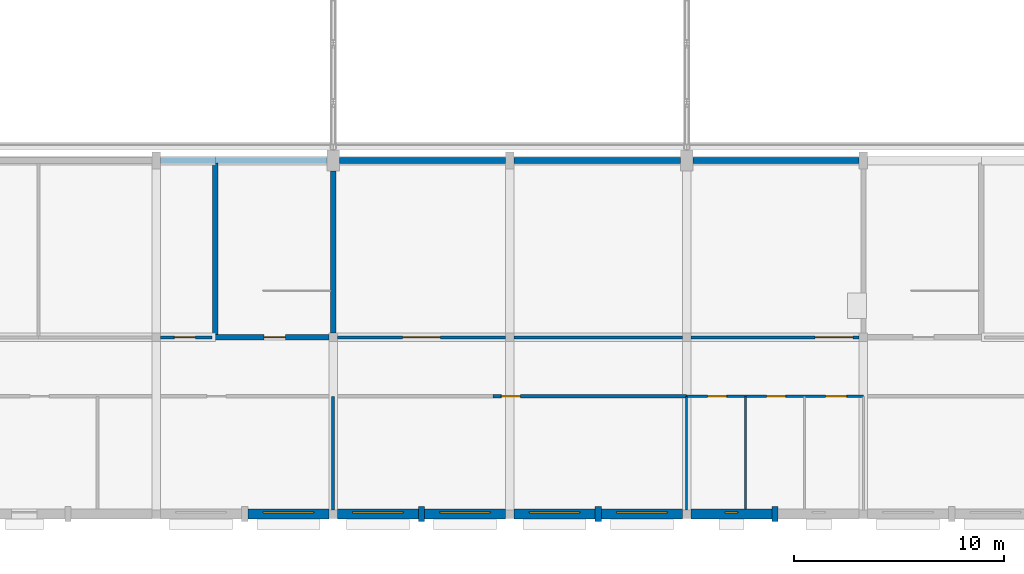
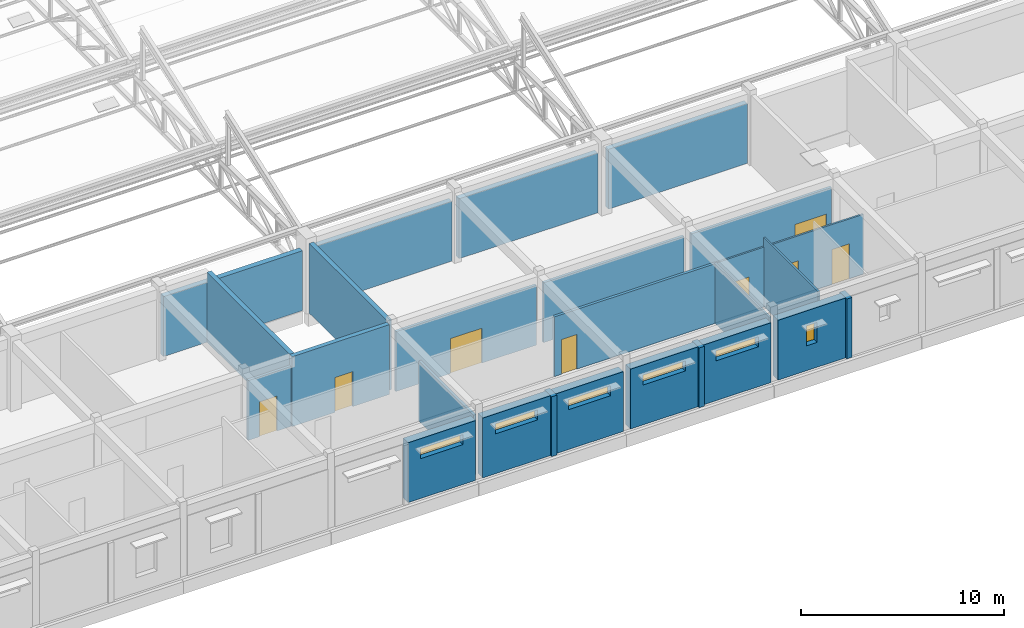
# One storey, part 71 of 101: 25 walls, 8 doors, 6 windows, 14 openings.
"""IFC4 building model written with IfcOpenShell, lengths in metres."""

from ifc_helpers import new_model, si_unit, direction, frame, frame_2d, origin, place, context, subcontext, project, spatial, rectangle, extrude, material, layer, layer_set, type_object, element, fill, save


model = new_model("IFC4")

# Units and contexts
model_context = context("Model", 3, precision=1e-05, world=origin(), true_north=direction((0.0, 1.0)))
body_context = subcontext(model_context, "Body", "Model", "MODEL_VIEW")
ifc_project = project(units=[si_unit("LENGTHUNIT", "METRE"), si_unit("AREAUNIT", "SQUARE_METRE"), si_unit("VOLUMEUNIT", "CUBIC_METRE"), si_unit("PLANEANGLEUNIT", "RADIAN"), si_unit("MASSUNIT", "GRAM", prefix="KILO")], contexts=[model_context])

# Site, building, storey
site_placement = place(None, origin())
site = spatial("IfcSite", under=ifc_project, at=site_placement, CompositionType="ELEMENT")
building_placement = place(site_placement, origin())
building = spatial("IfcBuilding", under=site, at=building_placement, Name="Fescue Hill Polytechnic", CompositionType="ELEMENT")
storey_placement = place(building_placement, frame((0.0, 0.0, 9.0)))
storey = spatial("IfcBuildingStorey", under=building, at=storey_placement, Name="L02", CompositionType="ELEMENT", Elevation=9.0)

# Wall, opening, door
ifc_material_1 = material(Name="Concrete 40 MPa", Category="concrete")
ifc_layer_1 = layer(ifc_material_1, 0.25)
ifc_layer_set_1 = layer_set([ifc_layer_1], Name="Concrete 40 MPa")
wall_type_1 = type_object("IfcWallType", Name="Core wall 250", PredefinedType="SHEAR", material=ifc_layer_set_1)
wall_1_placement = place(storey_placement, frame((27.875, 8.39990234375, 0.0), z_axis=(0.0, 0.0, 1.0), x_axis=(1.0, 0.0, 0.0)))
wall_1 = element("IfcWall", 1, at=wall_1_placement, inside=storey, type_object=wall_type_1, Name="CW-L02-ST-V1-2-11", PredefinedType="SHEAR", context=body_context, shape_type="SweptSolid", body=[
    extrude(rectangle(XDim=5.52490234375, YDim=0.25, at=frame_2d((2.762451171875, 0.0))), origin(), (0.0, 0.0, 1.0), 4.199951171875),
])
opening_1_placement = place(wall_1_placement, frame((2.449951171875, 0.0, 0.0)))
opening_1 = element("IfcOpeningElement", 2, at=opening_1_placement, cuts=wall_1, Name="Opening D2077", PredefinedType="OPENING", context=body_context, shape_type="SweptSolid", body=[
    extrude(rectangle(XDim=1.0, YDim=2.10009765625, at=frame_2d((0.5, 1.050048828125))), frame((0.0, 0.135009765625, 0.0), z_axis=(0.0, -1.0, 0.0), x_axis=(1.0, 0.0, 0.0)), (0.0, 0.0, 1.0), 0.27001953125),
])
ifc_material_2 = material(Name="Steel fire door", Category="steel")
door_type_1 = type_object("IfcDoorType", Name="Door single swing 1000x2100 stair fire rated", OperationType="NOTDEFINED", PredefinedType="DOOR", material=ifc_material_2)
door_1_placement = place(opening_1_placement, origin())
door_1 = element("IfcDoor", 3, at=door_1_placement, inside=storey, type_object=door_type_1, Name="L02 ST-V1-2 stair door", OperationType="SINGLE_SWING_LEFT", OverallHeight=2.10009765625, OverallWidth=1.0, PredefinedType="DOOR", context=body_context, shape_type="SweptSolid", body=[
    extrude(rectangle(XDim=1.0, YDim=2.10009765625, at=frame_2d((0.5, 1.050048828125))), frame((0.0, 0.02490234375, 0.0), z_axis=(0.0, -1.0, 0.0), x_axis=(1.0, 0.0, 0.0)), (0.0, 0.0, 1.0), 0.050048828125),
])
fill(opening_1, door_1)

# Walls
wall_2_placement = place(storey_placement, frame((28.0, 8.52490234375, 0.0), z_axis=(0.0, 0.0, 1.0), x_axis=(0.0, 1.0, 0.0)))
element("IfcWall", 4, at=wall_2_placement, inside=storey, type_object=wall_type_1, Name="CW-L02-ST-V1-2-31", PredefinedType="SHEAR", context=body_context, shape_type="SweptSolid", body=[
    extrude(rectangle(XDim=8.150146484375, YDim=0.25, at=frame_2d((4.0751953125, 0.0))), origin(), (0.0, 0.0, 1.0), 4.199951171875),
])
wall_3_placement = place(storey_placement, frame((33.60009765625, 8.60009765625, 0.0), z_axis=(0.0, 0.0, 1.0), x_axis=(0.0, 1.0, 0.0)))
element("IfcWall", 5, at=wall_3_placement, inside=storey, type_object=wall_type_1, Name="CW-L02-ST-V1-2-41", PredefinedType="SHEAR", context=body_context, shape_type="SweptSolid", body=[
    extrude(rectangle(XDim=7.699951171875, YDim=0.25, at=frame_2d((3.85009765625, 0.0))), origin(), (0.0, 0.0, 1.0), 4.199951171875),
])

# Wall, opening, door
ifc_material_3 = material(Name="Gypsum board partition")
ifc_layer_2 = layer(ifc_material_3, 0.14990234375)
ifc_layer_set_2 = layer_set([ifc_layer_2], Name="Gypsum board partition")
wall_type_2 = type_object("IfcWallType", Name="Corridor wall 150 EI 45", PredefinedType="PARTITIONING", material=ifc_layer_set_2)
wall_4_placement = place(storey_placement, frame((41.199951171875, 5.60009765625, 0.0), z_axis=(0.0, 0.0, 1.0), x_axis=(1.0, 0.0, 0.0)))
wall_4 = element("IfcWall", 6, at=wall_4_placement, inside=storey, type_object=wall_type_2, Name="IW-L02-002", PredefinedType="PARTITIONING", context=body_context, shape_type="SweptSolid", body=[
    extrude(rectangle(XDim=9.199951171875, YDim=0.14990234375, at=frame_2d((4.60009765625, 0.0))), origin(), (0.0, 0.0, 1.0), 3.60009765625),
])
opening_2_placement = place(wall_4_placement, frame((0.39990234375, 0.0, 0.0)))
opening_2 = element("IfcOpeningElement", 7, at=opening_2_placement, cuts=wall_4, Name="Opening D2012", PredefinedType="OPENING", context=body_context, shape_type="SweptSolid", body=[
    extrude(rectangle(XDim=0.89990234375, YDim=2.10009765625, at=frame_2d((0.449951171875, 1.050048828125))), frame((0.0, 0.0849609375, 0.0), z_axis=(0.0, -1.0, 0.0), x_axis=(1.0, 0.0, 0.0)), (0.0, 0.0, 1.0), 0.169921875),
])
ifc_material_4 = material(Name="Timber", Category="wood")
door_type_2 = type_object("IfcDoorType", Name="Door single swing 900x2100 FD30S", OperationType="SINGLE_SWING_LEFT", PredefinedType="DOOR", material=ifc_material_4)
door_2_placement = place(opening_2_placement, origin())
door_2 = element("IfcDoor", 8, at=door_2_placement, inside=storey, type_object=door_type_2, Name="Door D2012", OperationType="SINGLE_SWING_LEFT", OverallHeight=2.10009765625, OverallWidth=0.89990234375, PredefinedType="DOOR", context=body_context, shape_type="SweptSolid", body=[
    extrude(rectangle(XDim=0.89990234375, YDim=2.10009765625, at=frame_2d((0.449951171875, 1.050048828125))), frame((0.0, 0.02490234375, 0.0), z_axis=(0.0, -1.0, 0.0), x_axis=(1.0, 0.0, 0.0)), (0.0, 0.0, 1.0), 0.050048828125),
])
fill(opening_2, door_2)

wall_5_placement = place(storey_placement, frame((33.800048828125, 8.39990234375, 0.0), z_axis=(0.0, 0.0, 1.0), x_axis=(1.0, 0.0, 0.0)))
wall_5 = element("IfcWall", 9, at=wall_5_placement, inside=storey, type_object=wall_type_2, Name="IW-L02-011", PredefinedType="PARTITIONING", context=body_context, shape_type="SweptSolid", body=[
    extrude(rectangle(XDim=8.0, YDim=0.14990234375, at=frame_2d((4.0, 0.0))), origin(), (0.0, 0.0, 1.0), 3.60009765625),
])
opening_3_placement = place(wall_5_placement, frame((3.10009765625, 0.0, 0.0)))
opening_3 = element("IfcOpeningElement", 10, at=opening_3_placement, cuts=wall_5, Name="Opening D2023", PredefinedType="OPENING", context=body_context, shape_type="SweptSolid", body=[
    extrude(rectangle(XDim=1.800048828125, YDim=2.10009765625, at=frame_2d((0.89990234375, 1.050048828125))), frame((0.0, 0.0849609375, 0.0), z_axis=(0.0, -1.0, 0.0), x_axis=(1.0, 0.0, 0.0)), (0.0, 0.0, 1.0), 0.169921875),
])
door_type_3 = type_object("IfcDoorType", Name="Door double swing 1800x2100 FD30S", OperationType="DOUBLE_DOOR_SINGLE_SWING", PredefinedType="DOOR", material=ifc_material_4)
door_3_placement = place(opening_3_placement, origin())
door_3 = element("IfcDoor", 11, at=door_3_placement, inside=storey, type_object=door_type_3, Name="Door D2023", OperationType="DOUBLE_DOOR_SINGLE_SWING", OverallHeight=2.10009765625, OverallWidth=1.800048828125, PredefinedType="DOOR", context=body_context, shape_type="SweptSolid", body=[
    extrude(rectangle(XDim=1.800048828125, YDim=2.10009765625, at=frame_2d((0.89990234375, 1.050048828125))), frame((0.0, 0.02490234375, 0.0), z_axis=(0.0, -1.0, 0.0), x_axis=(1.0, 0.0, 0.0)), (0.0, 0.0, 1.0), 0.050048828125),
])
fill(opening_3, door_3)

# Wall
wall_6_placement = place(storey_placement, frame((42.199951171875, 8.39990234375, 0.0), z_axis=(0.0, 0.0, 1.0), x_axis=(1.0, 0.0, 0.0)))
element("IfcWall", 12, at=wall_6_placement, inside=storey, type_object=wall_type_2, Name="IW-L02-012", PredefinedType="PARTITIONING", context=body_context, shape_type="SweptSolid", body=[
    extrude(rectangle(XDim=8.0, YDim=0.14990234375, at=frame_2d((4.0, 0.0))), origin(), (0.0, 0.0, 1.0), 3.60009765625),
])

# Wall, opening, door
wall_7_placement = place(storey_placement, frame((50.60009765625, 8.39990234375, 0.0), z_axis=(0.0, 0.0, 1.0), x_axis=(1.0, 0.0, 0.0)))
wall_7 = element("IfcWall", 13, at=wall_7_placement, inside=storey, type_object=wall_type_2, Name="IW-L02-013", PredefinedType="PARTITIONING", context=body_context, shape_type="SweptSolid", body=[
    extrude(rectangle(XDim=8.0, YDim=0.14990234375, at=frame_2d((4.0, 0.0))), origin(), (0.0, 0.0, 1.0), 3.60009765625),
])
opening_4_placement = place(wall_7_placement, frame((5.89990234375, 0.0, 0.0)))
opening_4 = element("IfcOpeningElement", 14, at=opening_4_placement, cuts=wall_7, Name="Opening D2024", PredefinedType="OPENING", context=body_context, shape_type="SweptSolid", body=[
    extrude(rectangle(XDim=1.800048828125, YDim=2.10009765625, at=frame_2d((0.89990234375, 1.050048828125))), frame((0.0, 0.0849609375, 0.0), z_axis=(0.0, -1.0, 0.0), x_axis=(1.0, 0.0, 0.0)), (0.0, 0.0, 1.0), 0.169921875),
])
door_4_placement = place(opening_4_placement, origin())
door_4 = element("IfcDoor", 15, at=door_4_placement, inside=storey, type_object=door_type_3, Name="Door D2024", OperationType="DOUBLE_DOOR_SINGLE_SWING", OverallHeight=2.10009765625, OverallWidth=1.800048828125, PredefinedType="DOOR", context=body_context, shape_type="SweptSolid", body=[
    extrude(rectangle(XDim=1.800048828125, YDim=2.10009765625, at=frame_2d((0.89990234375, 1.050048828125))), frame((0.0, 0.02490234375, 0.0), z_axis=(0.0, -1.0, 0.0), x_axis=(1.0, 0.0, 0.0)), (0.0, 0.0, 1.0), 0.050048828125),
])
fill(opening_4, door_4)

# Wall, opening, window
ifc_material_5 = material(Name="Clay brick masonry", Category="masonry")
ifc_layer_3 = layer(ifc_material_5, 0.47998046875)
ifc_layer_set_3 = layer_set([ifc_layer_3], Name="Clay brick masonry")
wall_type_3 = type_object("IfcWallType", Name="Exterior wall engineering brick cavity 480", PredefinedType="SOLIDWALL", material=ifc_layer_set_3)
wall_8_placement = place(storey_placement, frame((29.550048828125, 0.0, 0.0), z_axis=(0.0, 0.0, 1.0), x_axis=(1.0, 0.0, 0.0)))
wall_8 = element("IfcWall", 16, at=wall_8_placement, inside=storey, type_object=wall_type_3, Name="EW-L02-V1-30", PredefinedType="SOLIDWALL", context=body_context, shape_type="SweptSolid", body=[
    extrude(rectangle(XDim=3.849853515625, YDim=0.47998046875, at=frame_2d((1.9248046875, 0.0))), origin(), (0.0, 0.0, 1.0), 3.60009765625),
])
opening_5_placement = place(wall_8_placement, frame((0.72509765625, 0.0, 2.39990234375)))
opening_5 = element("IfcOpeningElement", 17, at=opening_5_placement, cuts=wall_8, Name="Opening W2R", PredefinedType="OPENING", context=body_context, shape_type="SweptSolid", body=[
    extrude(rectangle(XDim=2.39990234375, YDim=0.60009765625, at=frame_2d((1.199951171875, 0.300048828125))), frame((0.0, 0.25, 0.0), z_axis=(0.0, -1.0, 0.0), x_axis=(1.0, 0.0, 0.0)), (0.0, 0.0, 1.0), 0.5),
])
ifc_material_6 = material(Name="Powder-coated aluminium and glass", Category="aluminium")
window_type_1 = type_object("IfcWindowType", Name="Window workshop high 2400x600", PartitioningType="TRIPLE_PANEL_VERTICAL", PredefinedType="WINDOW", material=ifc_material_6)
window_1_placement = place(opening_5_placement, origin())
window_1 = element("IfcWindow", 18, at=window_1_placement, inside=storey, type_object=window_type_1, Name="WN-L02-V1-8", OverallHeight=0.60009765625, OverallWidth=2.39990234375, PartitioningType="SINGLE_PANEL", PredefinedType="WINDOW", context=body_context, shape_type="SweptSolid", body=[
    extrude(rectangle(XDim=2.39990234375, YDim=0.60009765625, at=frame_2d((1.199951171875, 0.300048828125))), frame((0.0, 0.1201171875, 0.0), z_axis=(0.0, -1.0, 0.0), x_axis=(1.0, 0.0, 0.0)), (0.0, 0.0, 1.0), 0.06005859375),
])
fill(opening_5, window_1)

wall_9_placement = place(storey_placement, frame((33.800048828125, 0.0, 0.0), z_axis=(0.0, 0.0, 1.0), x_axis=(1.0, 0.0, 0.0)))
wall_9 = element("IfcWall", 19, at=wall_9_placement, inside=storey, type_object=wall_type_3, Name="EW-L02-V1-31", PredefinedType="SOLIDWALL", context=body_context, shape_type="SweptSolid", body=[
    extrude(rectangle(XDim=3.849853515625, YDim=0.47998046875, at=frame_2d((1.9248046875, 0.0))), origin(), (0.0, 0.0, 1.0), 3.60009765625),
])
opening_6_placement = place(wall_9_placement, frame((0.72509765625, 0.0, 2.39990234375)))
opening_6 = element("IfcOpeningElement", 20, at=opening_6_placement, cuts=wall_9, Name="Opening W2R", PredefinedType="OPENING", context=body_context, shape_type="SweptSolid", body=[
    extrude(rectangle(XDim=2.39990234375, YDim=0.60009765625, at=frame_2d((1.199951171875, 0.300048828125))), frame((0.0, 0.25, 0.0), z_axis=(0.0, -1.0, 0.0), x_axis=(1.0, 0.0, 0.0)), (0.0, 0.0, 1.0), 0.5),
])
window_2_placement = place(opening_6_placement, origin())
window_2 = element("IfcWindow", 21, at=window_2_placement, inside=storey, type_object=window_type_1, Name="WN-L02-V1-9", OverallHeight=0.60009765625, OverallWidth=2.39990234375, PartitioningType="SINGLE_PANEL", PredefinedType="WINDOW", context=body_context, shape_type="SweptSolid", body=[
    extrude(rectangle(XDim=2.39990234375, YDim=0.60009765625, at=frame_2d((1.199951171875, 0.300048828125))), frame((0.0, 0.1201171875, 0.0), z_axis=(0.0, -1.0, 0.0), x_axis=(1.0, 0.0, 0.0)), (0.0, 0.0, 1.0), 0.06005859375),
])
fill(opening_6, window_2)

wall_10_placement = place(storey_placement, frame((37.949951171875, 0.0, 0.0), z_axis=(0.0, 0.0, 1.0), x_axis=(1.0, 0.0, 0.0)))
wall_10 = element("IfcWall", 22, at=wall_10_placement, inside=storey, type_object=wall_type_3, Name="EW-L02-V1-32", PredefinedType="SOLIDWALL", context=body_context, shape_type="SweptSolid", body=[
    extrude(rectangle(XDim=3.85009765625, YDim=0.47998046875, at=frame_2d((1.925048828125, 0.0))), origin(), (0.0, 0.0, 1.0), 3.60009765625),
])
opening_7_placement = place(wall_10_placement, frame((0.72509765625, 0.0, 2.39990234375)))
opening_7 = element("IfcOpeningElement", 23, at=opening_7_placement, cuts=wall_10, Name="Opening W2R", PredefinedType="OPENING", context=body_context, shape_type="SweptSolid", body=[
    extrude(rectangle(XDim=2.39990234375, YDim=0.60009765625, at=frame_2d((1.199951171875, 0.300048828125))), frame((0.0, 0.25, 0.0), z_axis=(0.0, -1.0, 0.0), x_axis=(1.0, 0.0, 0.0)), (0.0, 0.0, 1.0), 0.5),
])
window_3_placement = place(opening_7_placement, origin())
window_3 = element("IfcWindow", 24, at=window_3_placement, inside=storey, type_object=window_type_1, Name="WN-L02-V1-10", OverallHeight=0.60009765625, OverallWidth=2.39990234375, PartitioningType="SINGLE_PANEL", PredefinedType="WINDOW", context=body_context, shape_type="SweptSolid", body=[
    extrude(rectangle(XDim=2.39990234375, YDim=0.60009765625, at=frame_2d((1.199951171875, 0.300048828125))), frame((0.0, 0.1201171875, 0.0), z_axis=(0.0, -1.0, 0.0), x_axis=(1.0, 0.0, 0.0)), (0.0, 0.0, 1.0), 0.06005859375),
])
fill(opening_7, window_3)

wall_11_placement = place(storey_placement, frame((42.199951171875, 0.0, 0.0), z_axis=(0.0, 0.0, 1.0), x_axis=(1.0, 0.0, 0.0)))
wall_11 = element("IfcWall", 25, at=wall_11_placement, inside=storey, type_object=wall_type_3, Name="EW-L02-V1-33", PredefinedType="SOLIDWALL", context=body_context, shape_type="SweptSolid", body=[
    extrude(rectangle(XDim=3.85009765625, YDim=0.47998046875, at=frame_2d((1.925048828125, 0.0))), origin(), (0.0, 0.0, 1.0), 3.60009765625),
])
opening_8_placement = place(wall_11_placement, frame((0.72509765625, 0.0, 2.39990234375)))
opening_8 = element("IfcOpeningElement", 26, at=opening_8_placement, cuts=wall_11, Name="Opening W2R", PredefinedType="OPENING", context=body_context, shape_type="SweptSolid", body=[
    extrude(rectangle(XDim=2.39990234375, YDim=0.60009765625, at=frame_2d((1.199951171875, 0.300048828125))), frame((0.0, 0.25, 0.0), z_axis=(0.0, -1.0, 0.0), x_axis=(1.0, 0.0, 0.0)), (0.0, 0.0, 1.0), 0.5),
])
window_4_placement = place(opening_8_placement, origin())
window_4 = element("IfcWindow", 27, at=window_4_placement, inside=storey, type_object=window_type_1, Name="WN-L02-V1-11", OverallHeight=0.60009765625, OverallWidth=2.39990234375, PartitioningType="SINGLE_PANEL", PredefinedType="WINDOW", context=body_context, shape_type="SweptSolid", body=[
    extrude(rectangle(XDim=2.39990234375, YDim=0.60009765625, at=frame_2d((1.199951171875, 0.300048828125))), frame((0.0, 0.1201171875, 0.0), z_axis=(0.0, -1.0, 0.0), x_axis=(1.0, 0.0, 0.0)), (0.0, 0.0, 1.0), 0.06005859375),
])
fill(opening_8, window_4)

wall_12_placement = place(storey_placement, frame((46.35009765625, 0.0, 0.0), z_axis=(0.0, 0.0, 1.0), x_axis=(1.0, 0.0, 0.0)))
wall_12 = element("IfcWall", 28, at=wall_12_placement, inside=storey, type_object=wall_type_3, Name="EW-L02-V1-34", PredefinedType="SOLIDWALL", context=body_context, shape_type="SweptSolid", body=[
    extrude(rectangle(XDim=3.849853515625, YDim=0.47998046875, at=frame_2d((1.9248046875, 0.0))), origin(), (0.0, 0.0, 1.0), 3.60009765625),
])
opening_9_placement = place(wall_12_placement, frame((0.72509765625, 0.0, 2.39990234375)))
opening_9 = element("IfcOpeningElement", 29, at=opening_9_placement, cuts=wall_12, Name="Opening W2R", PredefinedType="OPENING", context=body_context, shape_type="SweptSolid", body=[
    extrude(rectangle(XDim=2.39990234375, YDim=0.60009765625, at=frame_2d((1.199951171875, 0.300048828125))), frame((0.0, 0.25, 0.0), z_axis=(0.0, -1.0, 0.0), x_axis=(1.0, 0.0, 0.0)), (0.0, 0.0, 1.0), 0.5),
])
window_5_placement = place(opening_9_placement, origin())
window_5 = element("IfcWindow", 30, at=window_5_placement, inside=storey, type_object=window_type_1, Name="WN-L02-V1-12", OverallHeight=0.60009765625, OverallWidth=2.39990234375, PartitioningType="SINGLE_PANEL", PredefinedType="WINDOW", context=body_context, shape_type="SweptSolid", body=[
    extrude(rectangle(XDim=2.39990234375, YDim=0.60009765625, at=frame_2d((1.199951171875, 0.300048828125))), frame((0.0, 0.1201171875, 0.0), z_axis=(0.0, -1.0, 0.0), x_axis=(1.0, 0.0, 0.0)), (0.0, 0.0, 1.0), 0.06005859375),
])
fill(opening_9, window_5)

wall_13_placement = place(storey_placement, frame((50.60009765625, 0.0, 0.0), z_axis=(0.0, 0.0, 1.0), x_axis=(1.0, 0.0, 0.0)))
wall_13 = element("IfcWall", 31, at=wall_13_placement, inside=storey, type_object=wall_type_3, Name="EW-L02-V1-35", PredefinedType="SOLIDWALL", context=body_context, shape_type="SweptSolid", body=[
    extrude(rectangle(XDim=3.849853515625, YDim=0.47998046875, at=frame_2d((1.9248046875, 0.0))), origin(), (0.0, 0.0, 1.0), 3.60009765625),
])
opening_10_placement = place(wall_13_placement, frame((1.625, 0.0, 1.5)))
opening_10 = element("IfcOpeningElement", 32, at=opening_10_placement, cuts=wall_13, Name="Opening W11", PredefinedType="OPENING", context=body_context, shape_type="SweptSolid", body=[
    extrude(rectangle(XDim=0.60009765625, YDim=1.199951171875, at=frame_2d((0.300048828125, 0.60009765625))), frame((0.0, 0.25, 0.0), z_axis=(0.0, -1.0, 0.0), x_axis=(1.0, 0.0, 0.0)), (0.0, 0.0, 1.0), 0.5),
])
window_type_2 = type_object("IfcWindowType", Name="Window WC high-level 600x1200", PartitioningType="SINGLE_PANEL", PredefinedType="WINDOW", material=ifc_material_6)
window_6_placement = place(opening_10_placement, origin())
window_6 = element("IfcWindow", 33, at=window_6_placement, inside=storey, type_object=window_type_2, Name="WN-L02-V1-13", OverallHeight=1.199951171875, OverallWidth=0.60009765625, PartitioningType="SINGLE_PANEL", PredefinedType="WINDOW", context=body_context, shape_type="SweptSolid", body=[
    extrude(rectangle(XDim=0.60009765625, YDim=1.199951171875, at=frame_2d((0.300048828125, 0.60009765625))), frame((0.0, 0.1201171875, 0.0), z_axis=(0.0, -1.0, 0.0), x_axis=(1.0, 0.0, 0.0)), (0.0, 0.0, 1.0), 0.06005859375),
])
fill(opening_10, window_6)

# Walls
ifc_layer_4 = layer(ifc_material_1, 0.699951171875)
ifc_layer_set_4 = layer_set([ifc_layer_4], Name="Concrete 40 MPa")
wall_type_4 = type_object("IfcWallType", Name="Fin wall board-marked 300x700", PredefinedType="SOLIDWALL", material=ifc_layer_set_4)
for number, where, z_axis, x_axis, name in (
    (34, (37.64990234375, 0.0, 0.0), (0.0, 0.0, 1.0), (1.0, 0.0, 0.0), "PR-L02-V1-9"),
    (35, (46.050048828125, 0.0, 0.0), (0.0, 0.0, 1.0), (1.0, 0.0, 0.0), "PR-L02-V1-10"),
    (36, (54.449951171875, 0.0, 0.0), (0.0, 0.0, 1.0), (1.0, 0.0, 0.0), "PR-L02-V1-11"),
):
    element("IfcWall", number, at=place(storey_placement, frame(where, z_axis=z_axis, x_axis=x_axis)), inside=storey, type_object=wall_type_4, Name=name, PredefinedType="SOLIDWALL", context=body_context, shape_type="SweptSolid", body=[
        extrude(rectangle(XDim=0.300048828125, YDim=0.699951171875, at=frame_2d((0.14990234375, 0.0))), origin(), (0.0, 0.0, 1.0), 3.60009765625),
    ])
ifc_layer_5 = layer(ifc_material_1, 0.300048828125)
ifc_layer_set_5 = layer_set([ifc_layer_5], Name="Concrete 40 MPa")
wall_type_5 = type_object("IfcWallType", Name="Hall wall concrete 300 fire rated", PredefinedType="SOLIDWALL", material=ifc_layer_set_5)
for number, where, z_axis, x_axis, name in (
    (37, (58.60009765625, 16.800048828125, 0.0), (0.0, 0.0, 1.0), (-1.0, 0.0, 0.0), "EW-L02-V1-12"),
    (38, (50.10009765625, 16.800048828125, 0.0), (0.0, 0.0, 1.0), (-1.0, 0.0, 0.0), "EW-L02-V1-13"),
    (39, (41.800048828125, 16.800048828125, 0.0), (0.0, 0.0, 1.0), (-1.0, 0.0, 0.0), "EW-L02-V1-14"),
):
    element("IfcWall", number, at=place(storey_placement, frame(where, z_axis=z_axis, x_axis=x_axis)), inside=storey, type_object=wall_type_5, Name=name, PredefinedType="SOLIDWALL", context=body_context, shape_type="SweptSolid", body=[
        extrude(rectangle(XDim=7.900146484375, YDim=0.300048828125, at=frame_2d((3.9501953125, 0.0))), origin(), (0.0, 0.0, 1.0), 3.60009765625),
    ])
ifc_layer_6 = layer(ifc_material_1, 0.300048828125)
ifc_layer_set_6 = layer_set([ifc_layer_6], Name="Concrete 40 MPa")
wall_type_6 = type_object("IfcWallType", Name="Hall wall concrete 300 load-bearing REI 120", PredefinedType="SOLIDWALL", material=ifc_layer_set_6)
wall_14_placement = place(storey_placement, frame((33.300048828125, 16.800048828125, 0.0), z_axis=(0.0, 0.0, 1.0), x_axis=(-1.0, 0.0, 0.0)))
element("IfcWall", 40, at=wall_14_placement, inside=storey, type_object=wall_type_6, Name="EW-L02-V1-15", PredefinedType="SOLIDWALL", context=body_context, shape_type="SweptSolid", body=[
    extrude(rectangle(XDim=7.900146484375, YDim=0.300048828125, at=frame_2d((3.9501953125, 0.0))), origin(), (0.0, 0.0, 1.0), 3.60009765625),
])

# Wall, opening, door
ifc_material_7 = material(Name="Concrete masonry block 15 MPa", Category="masonry")
ifc_layer_7 = layer(ifc_material_7, 0.14990234375)
ifc_layer_set_7 = layer_set([ifc_layer_7], Name="Concrete masonry block 15 MPa")
wall_type_7 = type_object("IfcWallType", Name="Laboratory wall 150 block EI 60", PredefinedType="PARTITIONING", material=ifc_layer_set_7)
wall_15_placement = place(storey_placement, frame((25.39990234375, 8.39990234375, 0.0), z_axis=(0.0, 0.0, 1.0), x_axis=(1.0, 0.0, 0.0)))
wall_15 = element("IfcWall", 41, at=wall_15_placement, inside=storey, type_object=wall_type_7, Name="IW-L02-018", PredefinedType="PARTITIONING", context=body_context, shape_type="SweptSolid", body=[
    extrude(rectangle(XDim=2.4501953125, YDim=0.14990234375, at=frame_2d((1.22509765625, 0.0))), origin(), (0.0, 0.0, 1.0), 3.60009765625),
])
opening_11_placement = place(wall_15_placement, frame((0.64990234375, 0.0, 0.0)))
opening_11 = element("IfcOpeningElement", 42, at=opening_11_placement, cuts=wall_15, Name="Opening D2022", PredefinedType="OPENING", context=body_context, shape_type="SweptSolid", body=[
    extrude(rectangle(XDim=1.0, YDim=2.10009765625, at=frame_2d((0.5, 1.050048828125))), frame((0.0, 0.0849609375, 0.0), z_axis=(0.0, -1.0, 0.0), x_axis=(1.0, 0.0, 0.0)), (0.0, 0.0, 1.0), 0.169921875),
])
ifc_material_8 = material(Name="Steel", Category="steel")
door_type_4 = type_object("IfcDoorType", Name="Door single swing 1000x2100 FD60", OperationType="SINGLE_SWING_LEFT", PredefinedType="DOOR", material=ifc_material_8)
door_5_placement = place(opening_11_placement, origin())
door_5 = element("IfcDoor", 43, at=door_5_placement, inside=storey, type_object=door_type_4, Name="Door D2022", OperationType="SINGLE_SWING_LEFT", OverallHeight=2.10009765625, OverallWidth=1.0, PredefinedType="DOOR", context=body_context, shape_type="SweptSolid", body=[
    extrude(rectangle(XDim=1.0, YDim=2.10009765625, at=frame_2d((0.5, 1.050048828125))), frame((0.0, 0.02490234375, 0.0), z_axis=(0.0, -1.0, 0.0), x_axis=(1.0, 0.0, 0.0)), (0.0, 0.0, 1.0), 0.050048828125),
])
fill(opening_11, door_5)

# Wall
ifc_layer_8 = layer(ifc_material_3, 0.14990234375)
ifc_layer_set_8 = layer_set([ifc_layer_8], Name="Gypsum board partition")
wall_type_8 = type_object("IfcWallType", Name="Partition stud 150 acoustic", PredefinedType="PARTITIONING", material=ifc_layer_set_8)
wall_16_placement = place(storey_placement, frame((33.60009765625, 0.199951171875, 0.0), z_axis=(0.0, 0.0, 1.0), x_axis=(0.0, 1.0, 0.0)))
element("IfcWall", 44, at=wall_16_placement, inside=storey, type_object=wall_type_8, Name="IW-L02-093", PredefinedType="PARTITIONING", context=body_context, shape_type="SweptSolid", body=[
    extrude(rectangle(XDim=5.400146484375, YDim=0.14990234375, at=frame_2d((2.7001953125, 0.0))), origin(), (0.0, 0.0, 1.0), 3.60009765625),
])

# Wall, openings, doors
ifc_layer_9 = layer(ifc_material_3, 0.10009765625)
ifc_layer_set_9 = layer_set([ifc_layer_9], Name="Gypsum board partition")
wall_type_9 = type_object("IfcWallType", Name="WC partition 100 moisture resistant", PredefinedType="PARTITIONING", material=ifc_layer_set_9)
wall_17_placement = place(storey_placement, frame((50.39990234375, 5.60009765625, 0.0), z_axis=(0.0, 0.0, 1.0), x_axis=(1.0, 0.0, 0.0)))
wall_17 = element("IfcWall", 45, at=wall_17_placement, inside=storey, type_object=wall_type_9, Name="IW-L02-008", PredefinedType="PARTITIONING", context=body_context, shape_type="SweptSolid", body=[
    extrude(rectangle(XDim=8.400146484375, YDim=0.10009765625, at=frame_2d((4.2001953125, 0.0))), origin(), (0.0, 0.0, 1.0), 3.60009765625),
])
opening_12_placement = place(wall_17_placement, frame((1.0, 0.0, 0.0)))
opening_12 = element("IfcOpeningElement", 46, at=opening_12_placement, cuts=wall_17, Name="Opening D2013", PredefinedType="OPENING", context=body_context, shape_type="SweptSolid", body=[
    extrude(rectangle(XDim=0.89990234375, YDim=2.10009765625, at=frame_2d((0.449951171875, 1.050048828125))), frame((0.0, 0.06005859375, 0.0), z_axis=(0.0, -1.0, 0.0), x_axis=(1.0, 0.0, 0.0)), (0.0, 0.0, 1.0), 0.1201171875),
])
opening_13_placement = place(wall_17_placement, frame((3.800048828125, 0.0, 0.0)))
opening_13 = element("IfcOpeningElement", 47, at=opening_13_placement, cuts=wall_17, Name="Opening D2014", PredefinedType="OPENING", context=body_context, shape_type="SweptSolid", body=[
    extrude(rectangle(XDim=0.89990234375, YDim=2.10009765625, at=frame_2d((0.449951171875, 1.050048828125))), frame((0.0, 0.06005859375, 0.0), z_axis=(0.0, -1.0, 0.0), x_axis=(1.0, 0.0, 0.0)), (0.0, 0.0, 1.0), 0.1201171875),
])
opening_14_placement = place(wall_17_placement, frame((6.60009765625, 0.0, 0.0)))
opening_14 = element("IfcOpeningElement", 48, at=opening_14_placement, cuts=wall_17, Name="Opening D2015", PredefinedType="OPENING", context=body_context, shape_type="SweptSolid", body=[
    extrude(rectangle(XDim=1.0, YDim=2.10009765625, at=frame_2d((0.5, 1.050048828125))), frame((0.0, 0.06005859375, 0.0), z_axis=(0.0, -1.0, 0.0), x_axis=(1.0, 0.0, 0.0)), (0.0, 0.0, 1.0), 0.1201171875),
])
door_type_5 = type_object("IfcDoorType", Name="Door single swing 1000x2100 accessible WC", OperationType="SINGLE_SWING_LEFT", PredefinedType="DOOR", material=ifc_material_4)
door_6_placement = place(opening_14_placement, origin())
door_6 = element("IfcDoor", 49, at=door_6_placement, inside=storey, type_object=door_type_5, Name="Door D2015", OperationType="SINGLE_SWING_RIGHT", OverallHeight=2.10009765625, OverallWidth=1.0, PredefinedType="DOOR", context=body_context, shape_type="SweptSolid", body=[
    extrude(rectangle(XDim=1.0, YDim=2.10009765625, at=frame_2d((0.5, 1.050048828125))), frame((0.0, 0.02490234375, 0.0), z_axis=(0.0, -1.0, 0.0), x_axis=(1.0, 0.0, 0.0)), (0.0, 0.0, 1.0), 0.050048828125),
])
fill(opening_14, door_6)
door_type_6 = type_object("IfcDoorType", Name="Door single swing 900x2100 WC", OperationType="SINGLE_SWING_LEFT", PredefinedType="DOOR", material=ifc_material_4)
door_7_placement = place(opening_12_placement, origin())
door_7 = element("IfcDoor", 50, at=door_7_placement, inside=storey, type_object=door_type_6, Name="Door D2013", OperationType="SINGLE_SWING_LEFT", OverallHeight=2.10009765625, OverallWidth=0.89990234375, PredefinedType="DOOR", context=body_context, shape_type="SweptSolid", body=[
    extrude(rectangle(XDim=0.89990234375, YDim=2.10009765625, at=frame_2d((0.449951171875, 1.050048828125))), frame((0.0, 0.02490234375, 0.0), z_axis=(0.0, -1.0, 0.0), x_axis=(1.0, 0.0, 0.0)), (0.0, 0.0, 1.0), 0.050048828125),
])
fill(opening_12, door_7)
door_8_placement = place(opening_13_placement, origin())
door_8 = element("IfcDoor", 51, at=door_8_placement, inside=storey, type_object=door_type_6, Name="Door D2014", OperationType="SINGLE_SWING_RIGHT", OverallHeight=2.10009765625, OverallWidth=0.89990234375, PredefinedType="DOOR", context=body_context, shape_type="SweptSolid", body=[
    extrude(rectangle(XDim=0.89990234375, YDim=2.10009765625, at=frame_2d((0.449951171875, 1.050048828125))), frame((0.0, 0.02490234375, 0.0), z_axis=(0.0, -1.0, 0.0), x_axis=(1.0, 0.0, 0.0)), (0.0, 0.0, 1.0), 0.050048828125),
])
fill(opening_13, door_8)

# Walls
wall_18_placement = place(storey_placement, frame((50.39990234375, 0.199951171875, 0.0), z_axis=(0.0, 0.0, 1.0), x_axis=(0.0, 1.0, 0.0)))
element("IfcWall", 52, at=wall_18_placement, inside=storey, type_object=wall_type_9, Name="IW-L02-099", PredefinedType="PARTITIONING", context=body_context, shape_type="SweptSolid", body=[
    extrude(rectangle(XDim=5.400146484375, YDim=0.10009765625, at=frame_2d((2.7001953125, 0.0))), origin(), (0.0, 0.0, 1.0), 3.60009765625),
])
wall_19_placement = place(storey_placement, frame((53.199951171875, 0.239990234375, 0.0), z_axis=(0.0, 0.0, 1.0), x_axis=(0.0, 1.0, 0.0)))
element("IfcWall", 53, at=wall_19_placement, inside=storey, type_object=wall_type_9, Name="IW-L02-100", PredefinedType="PARTITIONING", context=body_context, shape_type="SweptSolid", body=[
    extrude(rectangle(XDim=5.360107421875, YDim=0.10009765625, at=frame_2d((2.68017578125, 0.0))), origin(), (0.0, 0.0, 1.0), 4.14990234375),
])

save(model, "model.ifc")
